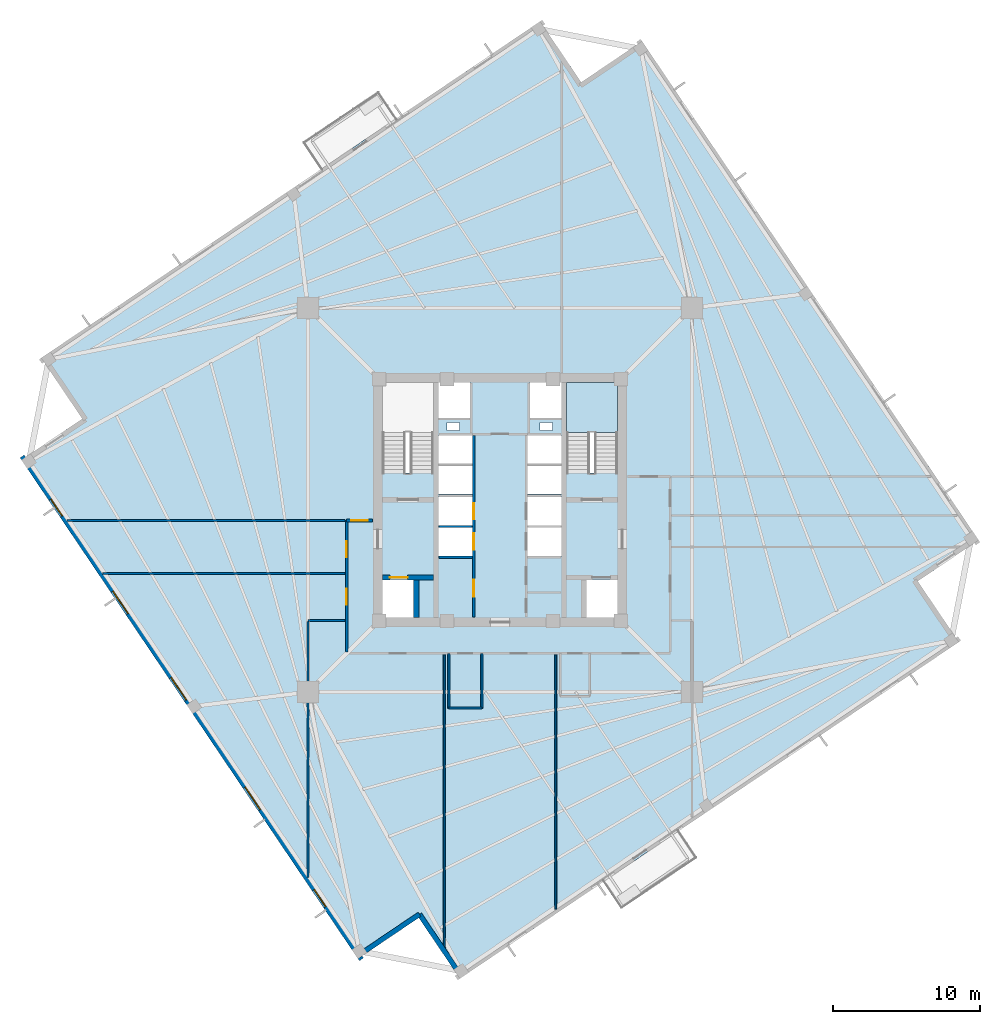
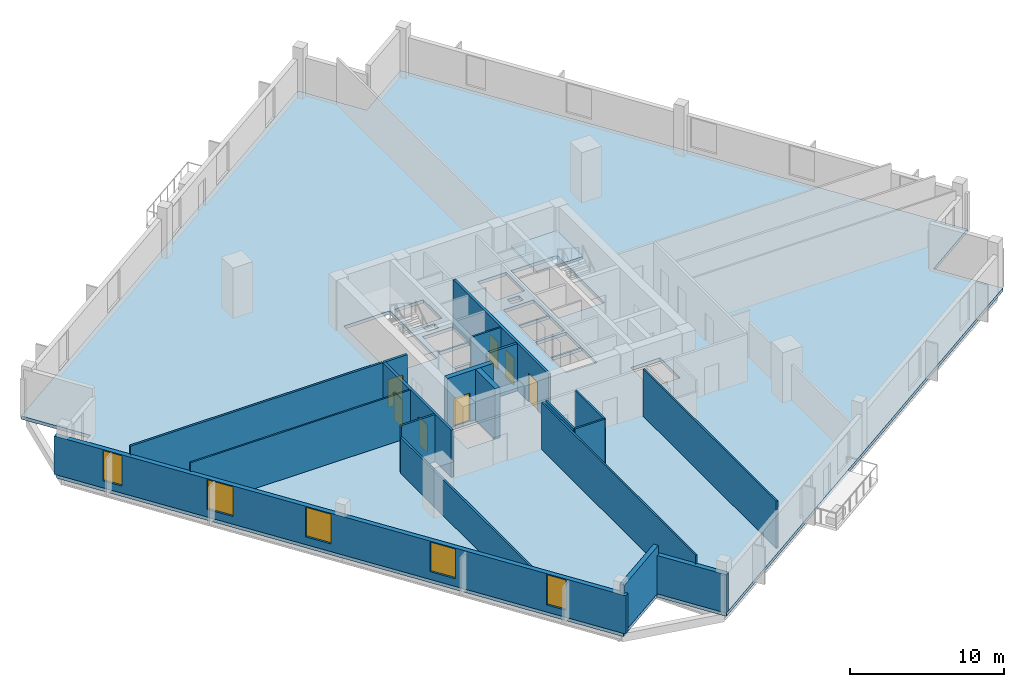
# One storey, part 2 of 8: 19 walls, 7 doors, 5 windows, 2 slabs, 12 openings, 1 element without a shape of its own.
"""IFC4 building model written with IfcOpenShell, lengths in metres."""

from ifc_helpers import new_model, si_unit, direction, frame, frame_2d, origin, place, context, subcontext, project, spatial, polyline, rectangle, outline, extrude, source, transform, mapped, material, layer, layer_set, type_object, element, fill, aggregate, save


model = new_model("IFC4")

# Units and contexts
model_context = context("Model", 3, precision=1e-05, world=origin(), true_north=direction((0.0, 1.0)))
body_context = subcontext(model_context, "Body", "Model", "MODEL_VIEW")
ifc_project = project(units=[si_unit("LENGTHUNIT", "METRE"), si_unit("AREAUNIT", "SQUARE_METRE"), si_unit("VOLUMEUNIT", "CUBIC_METRE"), si_unit("PLANEANGLEUNIT", "RADIAN"), si_unit("MASSUNIT", "GRAM", prefix="KILO"), si_unit("THERMODYNAMICTEMPERATUREUNIT", "KELVIN")], contexts=[model_context])

# Site, building, storey
site_placement = place(None, origin())
site = spatial("IfcSite", under=ifc_project, at=site_placement, CompositionType="ELEMENT")
building_placement = place(site_placement, origin())
building = spatial("IfcBuilding", under=site, at=building_placement, Name="Kosmvard Interchange Tower", CompositionType="ELEMENT")
storey_placement = place(building_placement, frame((0.0, 0.0, 176.39990234375)))
storey = spatial("IfcBuildingStorey", under=building, at=storey_placement, Name="L42", CompositionType="ELEMENT", Elevation=176.39990234375)

# Slab
ifc_material_1 = material(Name="Concrete C50/60", Category="concrete")
ifc_layer_1 = layer(ifc_material_1, 0.260009765625, Name="Concrete C50/60")
ifc_layer_set_1 = layer_set([ifc_layer_1], Name="Concrete C50/60")
slab_type_1 = type_object("IfcSlabType", Name="Mid-Rise Office Composite Slab 260 C50/60", PredefinedType="FLOOR", material=ifc_layer_set_1)
slab_1_placement = place(storey_placement, frame((0.0, 0.0, -0.260009765625)))
element("IfcSlab", 1, at=slab_1_placement, inside=storey, type_object=slab_type_1, Name="L42 Structural Floor Slab", PredefinedType="FLOOR", context=body_context, shape_type="SweptSolid", body=[
    extrude(outline(polyline([(-2.73583984375, -32.60400390625), (31.254638671875, -9.677001953125), (28.458740234375, -5.53173828125), (32.60400390625, -2.73583984375), (9.677001953125, 31.254638671875), (5.53173828125, 28.458740234375), (2.73583984375, 32.60400390625), (-31.254638671875, 9.677001953125), (-28.458740234375, 5.53173828125), (-32.60400390625, 2.73583984375), (-9.677001953125, -31.254638671875), (-5.53173828125, -28.458740234375), (-2.73583984375, -32.60400390625)]), holes=[polyline([(-8.0, 1.8349609375), (-4.5400390625, 1.8349609375), (-4.5400390625, 8.0), (-8.0, 8.0), (-8.0, 1.8349609375)]), polyline([(4.5400390625, 1.8349609375), (8.0, 1.8349609375), (8.0, 8.0), (4.5400390625, 8.0), (4.5400390625, 1.8349609375)]), polyline([(-8.0, -8.0), (-5.800048828125, -8.0), (-5.800048828125, -5.39990234375), (-8.0, -5.39990234375), (-8.0, -8.0)]), polyline([(5.800048828125, -8.0), (8.0, -8.0), (8.0, -5.39990234375), (5.800048828125, -5.39990234375), (5.800048828125, -8.0)]), polyline([(-4.179931640625, -3.800048828125), (-1.8798828125, -3.800048828125), (-1.8798828125, -1.860107421875), (-4.179931640625, -1.860107421875), (-4.179931640625, -3.800048828125)]), polyline([(-4.179931640625, -1.739990234375), (-1.8798828125, -1.739990234375), (-1.8798828125, 0.199951171875), (-4.179931640625, 0.199951171875), (-4.179931640625, -1.739990234375)]), polyline([(1.8798828125, -3.800048828125), (4.179931640625, -3.800048828125), (4.179931640625, -1.860107421875), (1.8798828125, -1.860107421875), (1.8798828125, -3.800048828125)]), polyline([(1.8798828125, -1.739990234375), (4.179931640625, -1.739990234375), (4.179931640625, 0.199951171875), (1.8798828125, 0.199951171875), (1.8798828125, -1.739990234375)]), polyline([(-4.179931640625, 0.39990234375), (-1.8798828125, 0.39990234375), (-1.8798828125, 2.340087890625), (-4.179931640625, 2.340087890625), (-4.179931640625, 0.39990234375)]), polyline([(-4.179931640625, 2.4599609375), (-1.8798828125, 2.4599609375), (-1.8798828125, 4.39990234375), (-4.179931640625, 4.39990234375), (-4.179931640625, 2.4599609375)]), polyline([(1.8798828125, 0.39990234375), (4.179931640625, 0.39990234375), (4.179931640625, 2.340087890625), (1.8798828125, 2.340087890625), (1.8798828125, 0.39990234375)]), polyline([(1.8798828125, 2.4599609375), (4.179931640625, 2.4599609375), (4.179931640625, 4.39990234375), (1.8798828125, 4.39990234375), (1.8798828125, 2.4599609375)]), polyline([(-4.179931640625, 5.60009765625), (-2.0400390625, 5.60009765625), (-2.0400390625, 8.0), (-4.179931640625, 8.0), (-4.179931640625, 5.60009765625)]), polyline([(2.0400390625, 5.60009765625), (4.179931640625, 5.60009765625), (4.179931640625, 8.0), (2.0400390625, 8.0), (2.0400390625, 5.60009765625)]), polyline([(-3.614990234375, 4.739990234375), (-2.764892578125, 4.739990234375), (-2.764892578125, 5.2900390625), (-3.614990234375, 5.2900390625), (-3.614990234375, 4.739990234375)]), polyline([(2.715087890625, 4.739990234375), (3.56494140625, 4.739990234375), (3.56494140625, 5.2900390625), (2.715087890625, 5.2900390625), (2.715087890625, 4.739990234375)])]), origin(), (0.0, 0.0, 1.0), 0.260009765625),
])

# Stair, slab
stair_type = type_object("IfcStairType", Name="Dog-Leg Core Exit Stair H4000 C50/60", PredefinedType="HALF_TURN_STAIR", material=ifc_material_1)
stair_placement = place(storey_placement, origin())
stair = element("IfcStair", 2, at=stair_placement, inside=storey, type_object=stair_type, Name="L42 Protected Exit Stair ST-2", PredefinedType="HALF_TURN_STAIR")
ifc_layer_2 = layer(ifc_material_1, 0.199951171875, Name="Concrete C50/60")
ifc_layer_set_2 = layer_set([ifc_layer_2], Name="Concrete C50/60")
slab_type_2 = type_object("IfcSlabType", Name="Stair Half-Landing Slab 200 C50/60", PredefinedType="LANDING", material=ifc_layer_set_2)
slab_2_placement = place(storey_placement, frame((0.0, 0.0, 1.800048828125)))
slab_2 = element("IfcSlab", 3, at=slab_2_placement, type_object=slab_type_2, Name="ST-2 landing 1", PredefinedType="LANDING", context=body_context, shape_type="SweptSolid", body=[
    extrude(outline(polyline([(8.0, 4.60009765625), (8.0, 8.0), (4.5400390625, 8.0), (4.5400390625, 4.60009765625), (8.0, 4.60009765625)])), origin(), (0.0, 0.0, 1.0), 0.199951171875),
])
aggregate(stair, [slab_2])

# Walls
ifc_material_2 = material(Name="Acoustic gypsum partition system")
ifc_layer_3 = layer(ifc_material_2, 0.14990234375, Name="Acoustic gypsum partition system")
ifc_layer_set_3 = layer_set([ifc_layer_3], Name="Acoustic gypsum partition system")
wall_type_1 = type_object("IfcWallType", Name="Acoustic Suite & Meeting Partition 150", PredefinedType="PARTITIONING", material=ifc_layer_set_3)
wall_1_placement = place(storey_placement, frame((-29.482421875, -1.39990234375, 0.0), z_axis=(0.0, 0.0, 1.0), x_axis=(1.0, 0.0, 0.0)))
element("IfcWall", 4, at=wall_1_placement, inside=storey, type_object=wall_type_1, Name="L42 Room Partition 02.1", PredefinedType="PARTITIONING", context=body_context, shape_type="SweptSolid", body=[
    extrude(rectangle(XDim=18.9375, YDim=0.14990234375, at=frame_2d((9.46875, 0.0))), origin(), (0.0, 0.0, 1.0), 3.739990234375),
])
wall_2_placement = place(storey_placement, frame((-10.544921875, -8.199951171875, 0.0), z_axis=(0.0, 0.0, 1.0), x_axis=(-1.0, 0.0, 0.0)))
element("IfcWall", 5, at=wall_2_placement, inside=storey, type_object=wall_type_1, Name="L42 Room Partition 05.1", PredefinedType="PARTITIONING", context=body_context, shape_type="SweptSolid", body=[
    extrude(rectangle(XDim=2.5361328125, YDim=0.14990234375, at=frame_2d((1.26806640625, 0.0))), origin(), (0.0, 0.0, 1.0), 3.739990234375),
])
wall_3_placement = place(storey_placement, frame((-13.0810546875, -8.27490234375, 0.0), z_axis=(0.0, 0.0, 1.0), x_axis=(0.0, -1.0, 0.0)))
element("IfcWall", 6, at=wall_3_placement, inside=storey, type_object=wall_type_1, Name="L42 Room Partition 06.1", PredefinedType="PARTITIONING", context=body_context, shape_type="SweptSolid", body=[
    extrude(rectangle(XDim=17.44140625, YDim=0.14990234375, at=frame_2d((8.720703125, 0.0))), origin(), (0.0, 0.0, 1.0), 2.840087890625),
])

# Wall, openings, doors
ifc_material_3 = material(Name="Fire-rated gypsum partition system")
ifc_layer_4 = layer(ifc_material_3, 0.179931640625, Name="Fire-rated gypsum partition system")
ifc_layer_set_4 = layer_set([ifc_layer_4], Name="Fire-rated gypsum partition system")
wall_type_2 = type_object("IfcWallType", Name="Corridor & Hotel Compartment Partition 180", PredefinedType="PARTITIONING", material=ifc_layer_set_4)
wall_4_placement = place(storey_placement, frame((-1.7900390625, -7.97998046875, 0.0), z_axis=(0.0, 0.0, 1.0), x_axis=(0.0, 1.0, 0.0)))
wall_4 = element("IfcWall", 7, at=wall_4_placement, inside=storey, type_object=wall_type_2, Name="L42 West Lift Bank Front Wall", PredefinedType="PARTITIONING", context=body_context, shape_type="SweptSolid", body=[
    extrude(rectangle(XDim=12.3798828125, YDim=0.179931640625, at=frame_2d((6.18994140625, 0.0))), origin(), (0.0, 0.0, 1.0), 3.739990234375),
])
opening_1_placement = place(wall_4_placement, frame((4.60009765625, 0.0, 0.0)))
opening_1 = element("IfcOpeningElement", 8, at=opening_1_placement, cuts=wall_4, Name="Opening LD-PL-M1-L42", PredefinedType="OPENING", context=body_context, shape_type="SweptSolid", body=[
    extrude(rectangle(XDim=1.10009765625, YDim=2.199951171875, at=frame_2d((0.550048828125, 1.10009765625))), frame((0.0, 0.10009765625, 0.0), z_axis=(0.0, -1.0, 0.0), x_axis=(1.0, 0.0, 0.0)), (0.0, 0.0, 1.0), 0.199951171875),
])
opening_2_placement = place(wall_4_placement, frame((6.659912109375, 0.0, 0.0)))
opening_2 = element("IfcOpeningElement", 9, at=opening_2_placement, cuts=wall_4, Name="Opening LD-PL-M2-L42", PredefinedType="OPENING", context=body_context, shape_type="SweptSolid", body=[
    extrude(rectangle(XDim=1.10009765625, YDim=2.199951171875, at=frame_2d((0.550048828125, 1.10009765625))), frame((0.0, 0.10009765625, 0.0), z_axis=(0.0, -1.0, 0.0), x_axis=(1.0, 0.0, 0.0)), (0.0, 0.0, 1.0), 0.199951171875),
])
opening_3_placement = place(wall_4_placement, frame((1.39990234375, 0.0, 0.0)))
opening_3 = element("IfcOpeningElement", 10, at=opening_3_placement, cuts=wall_4, Name="Opening L42-CD1", PredefinedType="OPENING", context=body_context, shape_type="SweptSolid", body=[
    extrude(rectangle(XDim=1.14990234375, YDim=2.25, at=frame_2d((0.574951171875, 1.125))), frame((0.0, 0.10009765625, 0.0), z_axis=(0.0, -1.0, 0.0), x_axis=(1.0, 0.0, 0.0)), (0.0, 0.0, 1.0), 0.199951171875),
])
ifc_material_4 = material(Name="Painted fire-rated steel leaf", Category="steel")
door_type_1 = type_object("IfcDoorType", Name="Plant & Riser Fire Door 1150x2250 EI60", OperationType="NOTDEFINED", PredefinedType="DOOR", material=ifc_material_4)
shared_shape_1 = source(origin(), body_context, "Body", "SweptSolid", [
    extrude(rectangle(XDim=1.14990234375, YDim=2.25, at=frame_2d((0.574951171875, 1.125))), frame((0.0, 0.02490234375, 0.0), z_axis=(0.0, -1.0, 0.0), x_axis=(1.0, 0.0, 0.0)), (0.0, 0.0, 1.0), 0.050048828125),
])
door_1_placement = place(opening_3_placement, origin())
door_1 = element("IfcDoor", 11, at=door_1_placement, inside=storey, type_object=door_type_1, Name="L42 Core Server Door", OperationType="SINGLE_SWING_LEFT", OverallHeight=2.25, OverallWidth=1.14990234375, PredefinedType="DOOR", context=body_context, shape_type="MappedRepresentation", body=[
    mapped(shared_shape_1, transform((0.0, 0.0, 0.0), scale=1.0)),
])
fill(opening_3, door_1)
ifc_material_5 = material(Name="Brushed stainless steel sliding leaf", Category="steel")
door_type_2 = type_object("IfcDoorType", Name="Passenger Lift Sliding Landing Door 1100x2200 EI60", OperationType="DOUBLE_DOOR_SLIDING", PredefinedType="DOOR", material=ifc_material_5)
shared_shape_2 = source(origin(), body_context, "Body", "SweptSolid", [
    extrude(rectangle(XDim=1.10009765625, YDim=2.199951171875, at=frame_2d((0.550048828125, 1.10009765625))), frame((0.0, 0.02490234375, 0.0), z_axis=(0.0, -1.0, 0.0), x_axis=(1.0, 0.0, 0.0)), (0.0, 0.0, 1.0), 0.050048828125),
])
door_2_placement = place(opening_1_placement, frame((1.10009765625, 0.0, 0.0), z_axis=(0.0, 0.0, 1.0), x_axis=(-1.0, 0.0, 0.0)))
door_2 = element("IfcDoor", 12, at=door_2_placement, inside=storey, type_object=door_type_2, Name="Lift PL-M1 Landing Door L42", OperationType="DOUBLE_DOOR_SLIDING", OverallHeight=2.199951171875, OverallWidth=1.10009765625, PredefinedType="DOOR", context=body_context, shape_type="MappedRepresentation", body=[
    mapped(shared_shape_2, transform((0.0, 0.0, 0.0), scale=1.0)),
])
fill(opening_1, door_2)
door_3_placement = place(opening_2_placement, frame((1.10009765625, 0.0, 0.0), z_axis=(0.0, 0.0, 1.0), x_axis=(-1.0, 0.0, 0.0)))
door_3 = element("IfcDoor", 13, at=door_3_placement, inside=storey, type_object=door_type_2, Name="Lift PL-M2 Landing Door L42", OperationType="DOUBLE_DOOR_SLIDING", OverallHeight=2.199951171875, OverallWidth=1.10009765625, PredefinedType="DOOR", context=body_context, shape_type="MappedRepresentation", body=[
    mapped(shared_shape_2, transform((0.0, 0.0, 0.0), scale=1.0)),
])
fill(opening_2, door_3)

wall_5_placement = place(storey_placement, frame((-10.449951171875, -10.35009765625, 0.0), z_axis=(0.0, 0.0, 1.0), x_axis=(0.0, 1.0, 0.0)))
wall_5 = element("IfcWall", 14, at=wall_5_placement, inside=storey, type_object=wall_type_2, Name="L42 Corridor Wall CW", PredefinedType="PARTITIONING", context=body_context, shape_type="SweptSolid", body=[
    extrude(rectangle(XDim=8.9501953125, YDim=0.179931640625, at=frame_2d((4.47509765625, 0.0))), origin(), (0.0, 0.0, 1.0), 3.739990234375),
])
opening_4_placement = place(wall_5_placement, frame((6.435546875, 0.0, 0.0)))
opening_4 = element("IfcOpeningElement", 15, at=opening_4_placement, cuts=wall_5, Name="Opening L42-D06", PredefinedType="OPENING", context=body_context, shape_type="SweptSolid", body=[
    extrude(rectangle(XDim=1.10009765625, YDim=2.199951171875, at=frame_2d((0.550048828125, 1.10009765625))), frame((0.0, 0.10009765625, 0.0), z_axis=(0.0, -1.0, 0.0), x_axis=(1.0, 0.0, 0.0)), (0.0, 0.0, 1.0), 0.199951171875),
])
opening_5_placement = place(wall_5_placement, frame((3.199951171875, 0.0, 0.0)))
opening_5 = element("IfcOpeningElement", 16, at=opening_5_placement, cuts=wall_5, Name="Opening L42-D07", PredefinedType="OPENING", context=body_context, shape_type="SweptSolid", body=[
    extrude(rectangle(XDim=1.10009765625, YDim=2.199951171875, at=frame_2d((0.550048828125, 1.10009765625))), frame((0.0, 0.10009765625, 0.0), z_axis=(0.0, -1.0, 0.0), x_axis=(1.0, 0.0, 0.0)), (0.0, 0.0, 1.0), 0.199951171875),
])
ifc_material_6 = material(Name="Engineered oak fire-rated timber", Category="wood")
door_type_3 = type_object("IfcDoorType", Name="Office Suite Entrance Door 1100x2200 FD30S", OperationType="NOTDEFINED", PredefinedType="DOOR", material=ifc_material_6)
door_4_placement = place(opening_4_placement, origin())
door_4 = element("IfcDoor", 17, at=door_4_placement, inside=storey, type_object=door_type_3, Name="L42 Secure Data Tape Store Door", OperationType="SINGLE_SWING_RIGHT", OverallHeight=2.199951171875, OverallWidth=1.10009765625, PredefinedType="DOOR", context=body_context, shape_type="MappedRepresentation", body=[
    mapped(shared_shape_2, transform((0.0, 0.0, 0.0), scale=1.0)),
])
fill(opening_4, door_4)
door_5_placement = place(opening_5_placement, origin())
door_5 = element("IfcDoor", 18, at=door_5_placement, inside=storey, type_object=door_type_3, Name="L42 Print Supply Store Door", OperationType="SINGLE_SWING_LEFT", OverallHeight=2.199951171875, OverallWidth=1.10009765625, PredefinedType="DOOR", context=body_context, shape_type="MappedRepresentation", body=[
    mapped(shared_shape_2, transform((0.0, 0.0, 0.0), scale=1.0)),
])
fill(opening_5, door_5)

# Wall, opening, door
wall_6_placement = place(storey_placement, frame((-10.449951171875, -1.39990234375, 0.0), z_axis=(0.0, 0.0, 1.0), x_axis=(1.0, 0.0, 0.0)))
wall_6 = element("IfcWall", 19, at=wall_6_placement, inside=storey, type_object=wall_type_2, Name="L42 Corridor Wall CNW", PredefinedType="PARTITIONING", context=body_context, shape_type="SweptSolid", body=[
    extrude(rectangle(XDim=1.75, YDim=0.179931640625, at=frame_2d((0.875, 0.0))), origin(), (0.0, 0.0, 1.0), 3.739990234375),
])
opening_6_placement = place(wall_6_placement, frame((0.324951171875, 0.0, 0.0)))
opening_6 = element("IfcOpeningElement", 20, at=opening_6_placement, cuts=wall_6, Name="Opening L42-D03", PredefinedType="OPENING", context=body_context, shape_type="SweptSolid", body=[
    extrude(rectangle(XDim=1.10009765625, YDim=2.199951171875, at=frame_2d((0.550048828125, 1.10009765625))), frame((0.0, 0.10009765625, 0.0), z_axis=(0.0, -1.0, 0.0), x_axis=(1.0, 0.0, 0.0)), (0.0, 0.0, 1.0), 0.199951171875),
])
door_6_placement = place(opening_6_placement, origin())
door_6 = element("IfcDoor", 21, at=door_6_placement, inside=storey, type_object=door_type_3, Name="L42 Trade Exchange Lecture Hall Door", OperationType="SINGLE_SWING_LEFT", OverallHeight=2.199951171875, OverallWidth=1.10009765625, PredefinedType="DOOR", context=body_context, shape_type="MappedRepresentation", body=[
    mapped(shared_shape_2, transform((0.0, 0.0, 0.0), scale=1.0)),
])
fill(opening_6, door_6)

# Wall, openings, windows
ifc_material_7 = material(Name="Precast concrete C45/55", Category="concrete")
ifc_layer_5 = layer(ifc_material_7, 0.340087890625, Name="Precast concrete C45/55")
ifc_layer_set_5 = layer_set([ifc_layer_5], Name="Precast concrete C45/55")
wall_type_3 = type_object("IfcWallType", Name="Mid Tower Precast Pier Wall 340 C45/55", PredefinedType="STANDARD", material=ifc_layer_set_5)
wall_7_placement = place(storey_placement, frame((-32.55810546875, 2.971923828125, 0.0), z_axis=(0.0, 0.0, 1.0), x_axis=(0.559194910251, -0.829036218961, 0.0)))
wall_7 = element("IfcWall", 22, at=wall_7_placement, inside=storey, type_object=wall_type_3, Name="L42 Precast Facade Wall F-W", PredefinedType="STANDARD", context=body_context, shape_type="SweptSolid", body=[
    extrude(rectangle(XDim=41.340087890625, YDim=0.340087890625, at=frame_2d((20.669921875, 0.0))), origin(), (0.0, 0.0, 1.0), 3.0400390625),
])
opening_7_placement = place(wall_7_placement, frame((3.5107421875, 0.0, 0.56005859375)))
opening_7 = element("IfcOpeningElement", 23, at=opening_7_placement, cuts=wall_7, Name="Opening L42-W16", PredefinedType="OPENING", context=body_context, shape_type="SweptSolid", body=[
    extrude(rectangle(XDim=1.39990234375, YDim=2.39990234375, at=frame_2d((0.699951171875, 1.199951171875))), frame((0.0, 0.18017578125, 0.0), z_axis=(0.0, -1.0, 0.0), x_axis=(1.0, 0.0, 0.0)), (0.0, 0.0, 1.0), 0.360107421875),
])
opening_8_placement = place(wall_7_placement, frame((11.063720703125, 0.0, 0.610107421875)))
opening_8 = element("IfcOpeningElement", 24, at=opening_8_placement, cuts=wall_7, Name="Opening L42-W17", PredefinedType="OPENING", context=body_context, shape_type="SweptSolid", body=[
    extrude(rectangle(XDim=1.85009765625, YDim=2.35009765625, at=frame_2d((0.925048828125, 1.175048828125))), frame((0.0, 0.18017578125, 0.0), z_axis=(0.0, -1.0, 0.0), x_axis=(1.0, 0.0, 0.0)), (0.0, 0.0, 1.0), 0.360107421875),
])
opening_9_placement = place(wall_7_placement, frame((18.168212890625, 0.0, 0.610107421875)))
opening_9 = element("IfcOpeningElement", 25, at=opening_9_placement, cuts=wall_7, Name="Opening L42-W18", PredefinedType="OPENING", context=body_context, shape_type="SweptSolid", body=[
    extrude(rectangle(XDim=1.85009765625, YDim=2.35009765625, at=frame_2d((0.925048828125, 1.175048828125))), frame((0.0, 0.18017578125, 0.0), z_axis=(0.0, -1.0, 0.0), x_axis=(1.0, 0.0, 0.0)), (0.0, 0.0, 1.0), 0.360107421875),
])
opening_10_placement = place(wall_7_placement, frame((27.186279296875, 0.0, 0.610107421875)))
opening_10 = element("IfcOpeningElement", 26, at=opening_10_placement, cuts=wall_7, Name="Opening L42-W19", PredefinedType="OPENING", context=body_context, shape_type="SweptSolid", body=[
    extrude(rectangle(XDim=1.85009765625, YDim=2.35009765625, at=frame_2d((0.925048828125, 1.175048828125))), frame((0.0, 0.18017578125, 0.0), z_axis=(0.0, -1.0, 0.0), x_axis=(1.0, 0.0, 0.0)), (0.0, 0.0, 1.0), 0.360107421875),
])
opening_11_placement = place(wall_7_placement, frame((35.602294921875, 0.0, 0.56005859375)))
opening_11 = element("IfcOpeningElement", 27, at=opening_11_placement, cuts=wall_7, Name="Opening L42-W20", PredefinedType="OPENING", context=body_context, shape_type="SweptSolid", body=[
    extrude(rectangle(XDim=1.39990234375, YDim=2.39990234375, at=frame_2d((0.699951171875, 1.199951171875))), frame((0.0, 0.18017578125, 0.0), z_axis=(0.0, -1.0, 0.0), x_axis=(1.0, 0.0, 0.0)), (0.0, 0.0, 1.0), 0.360107421875),
])
ifc_material_8 = material(Name="Low-E solar-control double glazing", Category="glass")
window_type_1 = type_object("IfcWindowType", Name="Notched Corner Feature Window 1400x2400", PartitioningType="SINGLE_PANEL", PredefinedType="WINDOW", material=ifc_material_8)
shared_shape_3 = source(origin(), body_context, "Body", "SweptSolid", [
    extrude(rectangle(XDim=1.39990234375, YDim=2.39990234375, at=frame_2d((0.699951171875, 1.199951171875))), frame((0.0, 0.030029296875, 0.0), z_axis=(0.0, -1.0, 0.0), x_axis=(1.0, 0.0, 0.0)), (0.0, 0.0, 1.0), 0.06005859375),
])
window_1_placement = place(opening_7_placement, origin())
window_1 = element("IfcWindow", 28, at=window_1_placement, inside=storey, type_object=window_type_1, Name="L42 Facade Punched Window 16", OverallHeight=2.39990234375, OverallWidth=1.39990234375, PartitioningType="SINGLE_PANEL", PredefinedType="WINDOW", context=body_context, shape_type="MappedRepresentation", body=[
    mapped(shared_shape_3, transform((0.0, 0.0, 0.0), scale=1.0)),
])
fill(opening_7, window_1)
window_2_placement = place(opening_11_placement, origin())
window_2 = element("IfcWindow", 29, at=window_2_placement, inside=storey, type_object=window_type_1, Name="L42 Facade Punched Window 20", OverallHeight=2.39990234375, OverallWidth=1.39990234375, PartitioningType="SINGLE_PANEL", PredefinedType="WINDOW", context=body_context, shape_type="MappedRepresentation", body=[
    mapped(shared_shape_3, transform((0.0, 0.0, 0.0), scale=1.0)),
])
fill(opening_11, window_2)
window_type_2 = type_object("IfcWindowType", Name="Zone 3 Office Punched Window 1850x2350", PartitioningType="SINGLE_PANEL", PredefinedType="WINDOW", material=ifc_material_8)
shared_shape_4 = source(origin(), body_context, "Body", "SweptSolid", [
    extrude(rectangle(XDim=1.85009765625, YDim=2.35009765625, at=frame_2d((0.925048828125, 1.175048828125))), frame((0.0, 0.030029296875, 0.0), z_axis=(0.0, -1.0, 0.0), x_axis=(1.0, 0.0, 0.0)), (0.0, 0.0, 1.0), 0.06005859375),
])
window_3_placement = place(opening_8_placement, origin())
window_3 = element("IfcWindow", 30, at=window_3_placement, inside=storey, type_object=window_type_2, Name="L42 Facade Punched Window 17", OverallHeight=2.35009765625, OverallWidth=1.85009765625, PartitioningType="SINGLE_PANEL", PredefinedType="WINDOW", context=body_context, shape_type="MappedRepresentation", body=[
    mapped(shared_shape_4, transform((0.0, 0.0, 0.0), scale=1.0)),
])
fill(opening_8, window_3)
window_4_placement = place(opening_9_placement, origin())
window_4 = element("IfcWindow", 31, at=window_4_placement, inside=storey, type_object=window_type_2, Name="L42 Facade Punched Window 18", OverallHeight=2.35009765625, OverallWidth=1.85009765625, PartitioningType="SINGLE_PANEL", PredefinedType="WINDOW", context=body_context, shape_type="MappedRepresentation", body=[
    mapped(shared_shape_4, transform((0.0, 0.0, 0.0), scale=1.0)),
])
fill(opening_9, window_4)
window_5_placement = place(opening_10_placement, origin())
window_5 = element("IfcWindow", 32, at=window_5_placement, inside=storey, type_object=window_type_2, Name="L42 Facade Punched Window 19", OverallHeight=2.35009765625, OverallWidth=1.85009765625, PartitioningType="SINGLE_PANEL", PredefinedType="WINDOW", context=body_context, shape_type="MappedRepresentation", body=[
    mapped(shared_shape_4, transform((0.0, 0.0, 0.0), scale=1.0)),
])
fill(opening_10, window_5)

# Walls
wall_8_placement = place(storey_placement, frame((-9.631103515625, -31.018798828125, 0.0), z_axis=(0.0, 0.0, 1.0), x_axis=(0.829025804298, 0.559210350234, 0.0)))
element("IfcWall", 33, at=wall_8_placement, inside=storey, type_object=wall_type_3, Name="L42 Precast Facade Wall N-SW1", PredefinedType="STANDARD", context=body_context, shape_type="SweptSolid", body=[
    extrude(rectangle(XDim=5.000244140625, YDim=0.340087890625, at=frame_2d((2.5, 0.0))), origin(), (0.0, 0.0, 1.0), 3.739990234375),
])
wall_9_placement = place(storey_placement, frame((-5.48583984375, -28.22265625, 0.0), z_axis=(0.0, 0.0, 1.0), x_axis=(0.559171107879, -0.82905227345, 0.0)))
element("IfcWall", 34, at=wall_9_placement, inside=storey, type_object=wall_type_3, Name="L42 Precast Facade Wall N-SW2", PredefinedType="STANDARD", context=body_context, shape_type="SweptSolid", body=[
    extrude(rectangle(XDim=5.169921875, YDim=0.340087890625, at=frame_2d((2.5849609375, 0.0))), origin(), (0.0, 0.0, 1.0), 3.0400390625),
])
ifc_material_9 = material(Name="Gypsum board partition system")
ifc_layer_6 = layer(ifc_material_9, 0.1201171875, Name="Gypsum board partition system")
ifc_layer_set_6 = layer_set([ifc_layer_6], Name="Gypsum board partition system")
wall_type_4 = type_object("IfcWallType", Name="Office Cellular Partition 120", PredefinedType="PARTITIONING", material=ifc_layer_set_6)
wall_10_placement = place(storey_placement, frame((-27.05419921875, -5.0, 0.0), z_axis=(0.0, 0.0, 1.0), x_axis=(1.0, 0.0, 0.0)))
element("IfcWall", 35, at=wall_10_placement, inside=storey, type_object=wall_type_4, Name="L42 Room Partition 07.1", PredefinedType="PARTITIONING", context=body_context, shape_type="SweptSolid", body=[
    extrude(rectangle(XDim=16.50927734375, YDim=0.1201171875, at=frame_2d((8.254638671875, 0.0))), origin(), (0.0, 0.0, 1.0), 3.739990234375),
])
wall_11_placement = place(storey_placement, frame((-3.800048828125, -30.534423828125, 0.0), z_axis=(0.0, 0.0, 1.0), x_axis=(0.0, 1.0, 0.0)))
element("IfcWall", 36, at=wall_11_placement, inside=storey, type_object=wall_type_4, Name="L42 Room Partition 08.1", PredefinedType="PARTITIONING", context=body_context, shape_type="SweptSolid", body=[
    extrude(rectangle(XDim=19.989501953125, YDim=0.1201171875, at=frame_2d((9.99462890625, 0.0))), origin(), (0.0, 0.0, 1.0), 3.739990234375),
])
wall_12_placement = place(storey_placement, frame((3.800048828125, -27.86376953125, 0.0), z_axis=(0.0, 0.0, 1.0), x_axis=(0.0, 1.0, 0.0)))
element("IfcWall", 37, at=wall_12_placement, inside=storey, type_object=wall_type_4, Name="L42 Room Partition 09.1", PredefinedType="PARTITIONING", context=body_context, shape_type="SweptSolid", body=[
    extrude(rectangle(XDim=17.31884765625, YDim=0.1201171875, at=frame_2d((8.659423828125, 0.0))), origin(), (0.0, 0.0, 1.0), 3.739990234375),
])
ifc_material_10 = material(Name="Concrete blockwork masonry", Category="masonry")
ifc_layer_7 = layer(ifc_material_10, 0.179931640625, Name="Concrete blockwork masonry")
ifc_layer_set_7 = layer_set([ifc_layer_7], Name="Concrete blockwork masonry")
wall_type_5 = type_object("IfcWallType", Name="Riser & Lift Bank Divider Wall 180", PredefinedType="PARTITIONING", material=ifc_layer_set_7)
wall_13_placement = place(storey_placement, frame((-4.169921875, -3.89990234375, 0.0), z_axis=(0.0, 0.0, 1.0), x_axis=(1.0, 0.0, 0.0)))
element("IfcWall", 38, at=wall_13_placement, inside=storey, type_object=wall_type_5, Name="L42 West Bank Divider BD1", PredefinedType="PARTITIONING", context=body_context, shape_type="SweptSolid", body=[
    extrude(rectangle(XDim=2.280029296875, YDim=0.179931640625, at=frame_2d((1.14013671875, 0.0))), origin(), (0.0, 0.0, 1.0), 3.739990234375),
])
ifc_material_11 = material(Name="Fire-rated gypsum shaftwall system")
ifc_layer_8 = layer(ifc_material_11, 0.1201171875, Name="Fire-rated gypsum shaftwall system")
ifc_layer_set_8 = layer_set([ifc_layer_8], Name="Fire-rated gypsum shaftwall system")
wall_type_6 = type_object("IfcWallType", Name="Shaft & Riser Fire Partition 120 EI60", PredefinedType="PARTITIONING", material=ifc_layer_set_8)
wall_14_placement = place(storey_placement, frame((-4.159912109375, -1.800048828125, 0.0), z_axis=(0.0, 0.0, 1.0), x_axis=(1.0, 0.0, 0.0)))
element("IfcWall", 39, at=wall_14_placement, inside=storey, type_object=wall_type_6, Name="L42 Shaft Divider PL-M1", PredefinedType="PARTITIONING", context=body_context, shape_type="SweptSolid", body=[
    extrude(rectangle(XDim=2.260009765625, YDim=0.1201171875, at=frame_2d((1.1298828125, 0.0))), origin(), (0.0, 0.0, 1.0), 3.739990234375),
])

# Wall, opening, door
ifc_material_12 = material(Name="Concrete C60/75", Category="concrete")
ifc_layer_9 = layer(ifc_material_12, 0.360107421875, Name="Concrete C60/75")
ifc_layer_set_9 = layer_set([ifc_layer_9], Name="Concrete C60/75")
wall_type_7 = type_object("IfcWallType", Name="Stair & Lift Shaft Shear Wall 360 C60/75", PredefinedType="SHEAR", material=ifc_layer_set_9)
wall_15_placement = place(storey_placement, frame((-8.0, -5.280029296875, 0.0), z_axis=(0.0, 0.0, 1.0), x_axis=(1.0, 0.0, 0.0)))
wall_15 = element("IfcWall", 40, at=wall_15_placement, inside=storey, type_object=wall_type_7, Name="L42 Shaft Shear Wall SW-FF1", PredefinedType="SHEAR", context=body_context, shape_type="SweptSolid", body=[
    extrude(rectangle(XDim=3.4599609375, YDim=0.360107421875, at=frame_2d((1.72998046875, 0.0))), origin(), (0.0, 0.0, 1.0), 4.0),
])
opening_12_placement = place(wall_15_placement, frame((0.5, 0.0, 0.0)))
opening_12 = element("IfcOpeningElement", 41, at=opening_12_placement, cuts=wall_15, Name="Opening LD-FF-1-L42", PredefinedType="OPENING", context=body_context, shape_type="SweptSolid", body=[
    extrude(rectangle(XDim=1.199951171875, YDim=2.25, at=frame_2d((0.60009765625, 1.125))), frame((0.0, 0.18994140625, 0.0), z_axis=(0.0, -1.0, 0.0), x_axis=(1.0, 0.0, 0.0)), (0.0, 0.0, 1.0), 0.380126953125),
])
door_type_4 = type_object("IfcDoorType", Name="Firefighting Lift Sliding Landing Door 1200x2250 EI120", OperationType="DOUBLE_DOOR_SLIDING", PredefinedType="DOOR", material=ifc_material_5)
shared_shape_5 = source(origin(), body_context, "Body", "SweptSolid", [
    extrude(rectangle(XDim=1.199951171875, YDim=2.25, at=frame_2d((0.60009765625, 1.125))), frame((0.0, 0.02490234375, 0.0), z_axis=(0.0, -1.0, 0.0), x_axis=(1.0, 0.0, 0.0)), (0.0, 0.0, 1.0), 0.050048828125),
])
door_7_placement = place(opening_12_placement, origin())
door_7 = element("IfcDoor", 42, at=door_7_placement, inside=storey, type_object=door_type_4, Name="Lift FF-1 Landing Door L42", OperationType="DOUBLE_DOOR_SLIDING", OverallHeight=2.25, OverallWidth=1.199951171875, PredefinedType="DOOR", context=body_context, shape_type="MappedRepresentation", body=[
    mapped(shared_shape_5, transform((0.0, 0.0, 0.0), scale=1.0)),
])
fill(opening_12, door_7)

# Walls
wall_16_placement = place(storey_placement, frame((-5.7099609375, -8.0, 0.0), z_axis=(0.0, 0.0, 1.0), x_axis=(0.0, 1.0, 0.0)))
element("IfcWall", 43, at=wall_16_placement, inside=storey, type_object=wall_type_7, Name="L42 Shaft Shear Wall SW-SM1", PredefinedType="SHEAR", context=body_context, shape_type="SweptSolid", body=[
    extrude(rectangle(XDim=2.5400390625, YDim=0.360107421875, at=frame_2d((1.27001953125, 0.0))), origin(), (0.0, 0.0, 1.0), 4.0),
])
ifc_material_13 = material(Name="Moisture-resistant gypsum partition")
ifc_layer_10 = layer(ifc_material_13, 0.135009765625, Name="Moisture-resistant gypsum partition")
ifc_layer_set_10 = layer_set([ifc_layer_10], Name="Moisture-resistant gypsum partition")
wall_type_8 = type_object("IfcWallType", Name="Wet Room Moisture-Resistant Partition 135", PredefinedType="PARTITIONING", material=ifc_layer_set_10)
wall_17_placement = place(storey_placement, frame((-3.489013671875, -14.169921875, 0.0), z_axis=(0.0, 0.0, 1.0), x_axis=(1.0, 0.0, 0.0)))
element("IfcWall", 44, at=wall_17_placement, inside=storey, type_object=wall_type_8, Name="L42 Washroom Partition WC1-S", PredefinedType="PARTITIONING", context=body_context, shape_type="SweptSolid", body=[
    extrude(rectangle(XDim=2.25, YDim=0.135009765625, at=frame_2d((1.125, 0.0))), origin(), (0.0, 0.0, 1.0), 3.739990234375),
])
for number, where, z_axis, x_axis, name in (
    (45, (-1.239013671875, -14.169921875, 0.0), (0.0, 0.0, 1.0), (0.0, 1.0, 0.0), "L42 Washroom Partition WC1-E"),
    (46, (-3.489013671875, -14.169921875, 0.0), (0.0, 0.0, 1.0), (0.0, 1.0, 0.0), "L42 Washroom Partition WC1-W"),
):
    element("IfcWall", number, at=place(storey_placement, frame(where, z_axis=z_axis, x_axis=x_axis)), inside=storey, type_object=wall_type_8, Name=name, PredefinedType="PARTITIONING", context=body_context, shape_type="SweptSolid", body=[
        extrude(rectangle(XDim=3.699951171875, YDim=0.135009765625, at=frame_2d((1.85009765625, 0.0))), origin(), (0.0, 0.0, 1.0), 3.739990234375),
    ])

save(model, "model.ifc")
